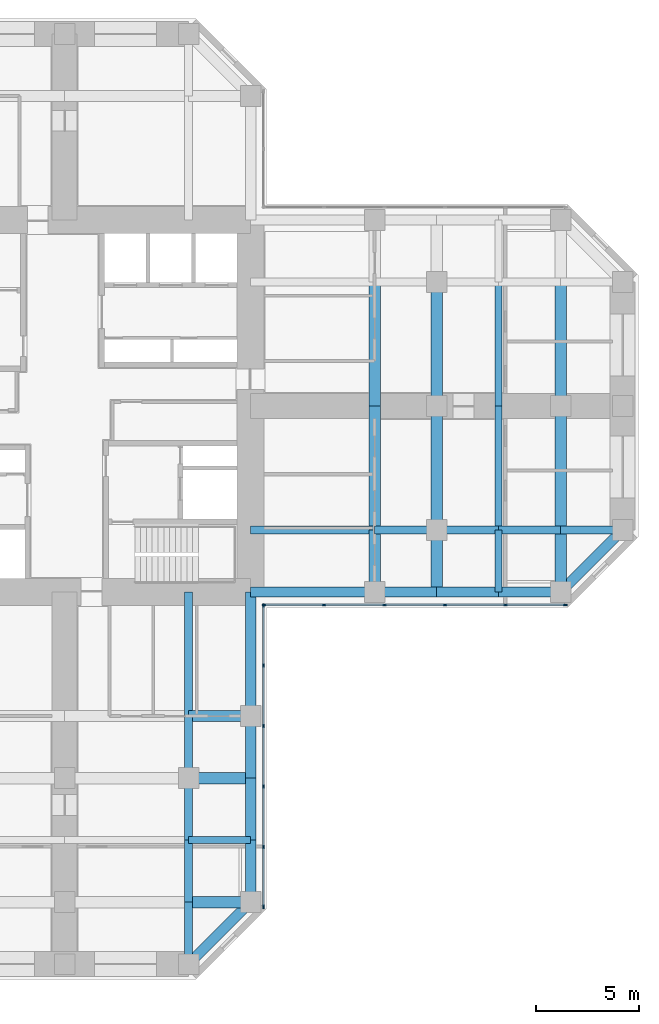
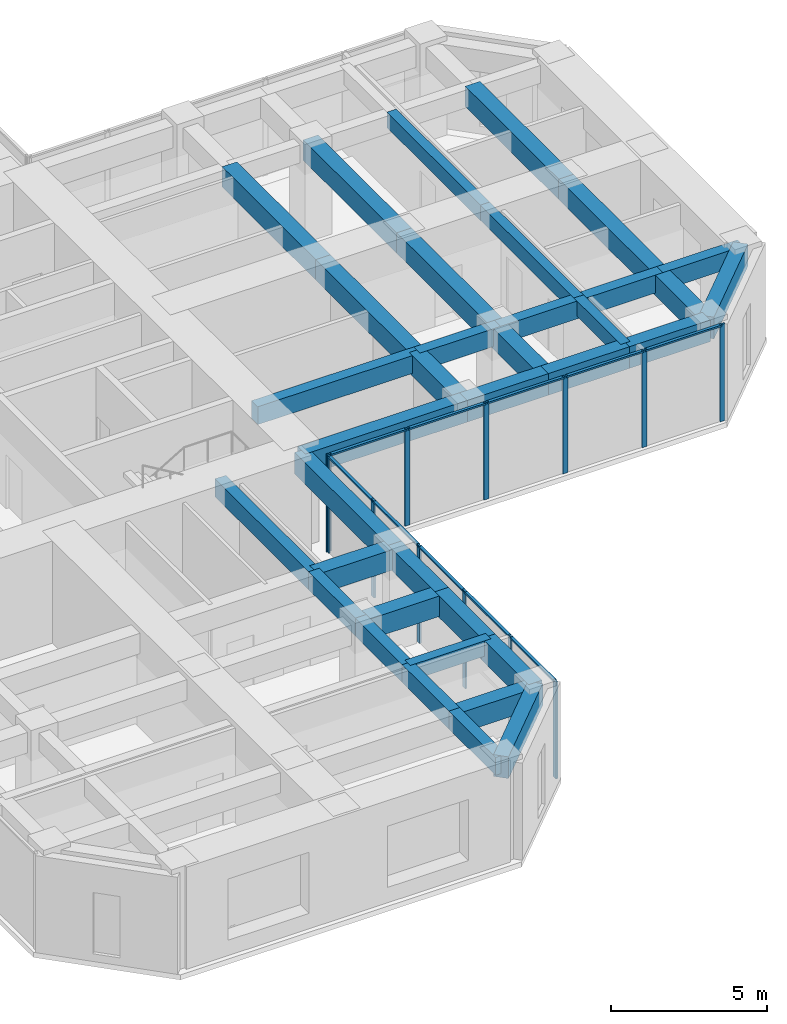
# One storey, part 4 of 13: 36 beams, 22 members, 2 elements without a shape of their own.
"""IFC4 building model written with IfcOpenShell, lengths in metres."""

from ifc_helpers import new_model, si_unit, direction, frame, origin, origin_2d, place, context, subcontext, project, spatial, rectangle, extrude, material, material_profile, profile_set, type_object, element, aggregate, save


model = new_model("IFC4")

# Units and contexts
model_context = context("Model", 3, precision=1e-05, world=origin(), true_north=direction((0.0, 1.0)))
body_context = subcontext(model_context, "Body", "Model", "MODEL_VIEW")
ifc_project = project(units=[si_unit("LENGTHUNIT", "METRE"), si_unit("AREAUNIT", "SQUARE_METRE"), si_unit("VOLUMEUNIT", "CUBIC_METRE"), si_unit("PLANEANGLEUNIT", "RADIAN"), si_unit("MASSUNIT", "GRAM", prefix="KILO")], contexts=[model_context])

# Site, building, storey
site_placement = place(None, origin())
site = spatial("IfcSite", under=ifc_project, at=site_placement, CompositionType="ELEMENT")
building_placement = place(site_placement, origin())
building = spatial("IfcBuilding", under=site, at=building_placement, Name="Torre Cruceta", CompositionType="ELEMENT")
storey_placement = place(building_placement, frame((0.0, 0.0, 124.5)))
storey = spatial("IfcBuildingStorey", under=building, at=storey_placement, Name="L30", CompositionType="ELEMENT", Elevation=124.5)

# Beams
ifc_material_1 = material(Name="Concrete G60 (fck 60 MPa)", Category="concrete")
ifc_material_profile_1 = material_profile(ifc_material_1, rectangle(XDim=0.39990234375, YDim=0.699951171875, at=origin_2d()), Name="RC 400X700")
ifc_profile_set_1 = profile_set([ifc_material_profile_1], Name="Concrete G60 (fck 60 MPa)")
beam_type_1 = type_object("IfcBeamType", Name="COLUMN LINE BEAM RC 400X700", PredefinedType="BEAM", material=ifc_profile_set_1)
beam_1_placement = place(storey_placement, frame((9.0, -6.0, 3.449951171875), z_axis=(1.0, 0.0, 0.0), x_axis=(0.0, 1.0, 0.0)))
element("IfcBeam", 1, at=beam_1_placement, inside=storey, type_object=beam_type_1, Name="LB5 L30 E col- 1", PredefinedType="BEAM", context=body_context, shape_type="SweptSolid", body=[
    extrude(rectangle(XDim=0.39990234375, YDim=0.699951171875, at=origin_2d()), origin(), (0.0, 0.0, 1.0), 6.0),
])
for number, where, z_axis, x_axis, name in (
    (2, (15.0, -6.0, 3.449951171875), (1.0, 0.0, 0.0), (0.0, 1.0, 0.0), "LB5 L30 E col- 2"),
    (3, (18.0, -6.0, 3.449951171875), (1.0, 0.0, 0.0), (0.0, 1.0, 0.0), "LB5 L30 E col- 3"),
    (4, (21.0, -6.0, 3.449951171875), (1.0, 0.0, 0.0), (0.0, 1.0, 0.0), "LB5 L30 E col- 4"),
    (5, (24.0, -6.0, 3.449951171875), (1.0, 0.0, 0.0), (0.0, 1.0, 0.0), "LB5 L30 E col- 5"),
):
    element("IfcBeam", number, at=place(storey_placement, frame(where, z_axis=z_axis, x_axis=x_axis)), inside=storey, type_object=beam_type_1, Name=name, PredefinedType="BEAM", context=body_context, shape_type="SweptSolid", body=[
        extrude(rectangle(XDim=0.39990234375, YDim=0.699951171875, at=origin_2d()), origin(), (0.0, 0.0, 1.0), 3.0),
    ])
beam_2_placement = place(storey_placement, frame((6.0, -9.0, 3.449951171875), z_axis=(0.0, -1.0, 0.0), x_axis=(1.0, 0.0, 0.0)))
element("IfcBeam", 6, at=beam_2_placement, inside=storey, type_object=beam_type_1, Name="LB5 L30 S col+ 1", PredefinedType="BEAM", context=body_context, shape_type="SweptSolid", body=[
    extrude(rectangle(XDim=0.39990234375, YDim=0.699951171875, at=origin_2d()), origin(), (0.0, 0.0, 1.0), 6.0),
])
for number, where, z_axis, x_axis, name in (
    (7, (6.0, -15.0, 3.449951171875), (0.0, -1.0, 0.0), (1.0, 0.0, 0.0), "LB5 L30 S col+ 2"),
    (8, (6.0, -18.0, 3.449951171875), (0.0, -1.0, 0.0), (1.0, 0.0, 0.0), "LB5 L30 S col+ 3"),
    (9, (6.0, -21.0, 3.449951171875), (0.0, -1.0, 0.0), (1.0, 0.0, 0.0), "LB5 L30 S col+ 4"),
    (10, (6.0, -24.0, 3.449951171875), (0.0, -1.0, 0.0), (1.0, 0.0, 0.0), "LB5 L30 S col+ 5"),
):
    element("IfcBeam", number, at=place(storey_placement, frame(where, z_axis=z_axis, x_axis=x_axis)), inside=storey, type_object=beam_type_1, Name=name, PredefinedType="BEAM", context=body_context, shape_type="SweptSolid", body=[
        extrude(rectangle(XDim=0.39990234375, YDim=0.699951171875, at=origin_2d()), origin(), (0.0, 0.0, 1.0), 3.0),
    ])
ifc_material_2 = material(Name="Concrete G60 (fck 60 MPa)", Category="concrete")
ifc_material_profile_2 = material_profile(ifc_material_2, rectangle(XDim=0.550048828125, YDim=0.800048828125, at=origin_2d()), Name="RC 550X800")
ifc_profile_set_2 = profile_set([ifc_material_profile_2], Name="Concrete G60 (fck 60 MPa)")
beam_type_2 = type_object("IfcBeamType", Name="CROSS BEAM RC 550X800", PredefinedType="BEAM", material=ifc_profile_set_2)
beam_3_placement = place(storey_placement, frame((15.0, -9.0, 3.39990234375), z_axis=(0.0, 1.0, 0.0), x_axis=(-1.0, 0.0, 0.0)))
element("IfcBeam", 11, at=beam_3_placement, inside=storey, type_object=beam_type_2, Name="GB5 L30 E cross15 1", PredefinedType="BEAM", context=body_context, shape_type="SweptSolid", body=[
    extrude(rectangle(XDim=0.550048828125, YDim=0.800048828125, at=origin_2d()), origin(), (0.0, 0.0, 1.0), 3.0),
])
for number, where, z_axis, x_axis, name in (
    (12, (15.0, -6.0, 3.39990234375), (0.0, 1.0, 0.0), (-1.0, 0.0, 0.0), "GB5 L30 E cross15 2"),
    (13, (15.0, 0.0, 3.39990234375), (0.0, 1.0, 0.0), (-1.0, 0.0, 0.0), "GB5 L30 E cross15 3"),
):
    element("IfcBeam", number, at=place(storey_placement, frame(where, z_axis=z_axis, x_axis=x_axis)), inside=storey, type_object=beam_type_2, Name=name, PredefinedType="BEAM", context=body_context, shape_type="SweptSolid", body=[
        extrude(rectangle(XDim=0.550048828125, YDim=0.800048828125, at=origin_2d()), origin(), (0.0, 0.0, 1.0), 6.0),
    ])
beam_4_placement = place(storey_placement, frame((18.0, -9.0, 3.39990234375), z_axis=(0.0, 1.0, 0.0), x_axis=(-1.0, 0.0, 0.0)))
element("IfcBeam", 14, at=beam_4_placement, inside=storey, type_object=beam_type_2, Name="GB5 L30 E cross18 1", PredefinedType="BEAM", context=body_context, shape_type="SweptSolid", body=[
    extrude(rectangle(XDim=0.550048828125, YDim=0.800048828125, at=origin_2d()), origin(), (0.0, 0.0, 1.0), 3.0),
])
for number, where, z_axis, x_axis, name in (
    (15, (18.0, -6.0, 3.39990234375), (0.0, 1.0, 0.0), (-1.0, 0.0, 0.0), "GB5 L30 E cross18 2"),
    (16, (18.0, 0.0, 3.39990234375), (0.0, 1.0, 0.0), (-1.0, 0.0, 0.0), "GB5 L30 E cross18 3"),
):
    element("IfcBeam", number, at=place(storey_placement, frame(where, z_axis=z_axis, x_axis=x_axis)), inside=storey, type_object=beam_type_2, Name=name, PredefinedType="BEAM", context=body_context, shape_type="SweptSolid", body=[
        extrude(rectangle(XDim=0.550048828125, YDim=0.800048828125, at=origin_2d()), origin(), (0.0, 0.0, 1.0), 6.0),
    ])
beam_5_placement = place(storey_placement, frame((24.0, -9.0, 3.39990234375), z_axis=(0.0, 1.0, 0.0), x_axis=(-1.0, 0.0, 0.0)))
element("IfcBeam", 17, at=beam_5_placement, inside=storey, type_object=beam_type_2, Name="GB5 L30 E cross24 1", PredefinedType="BEAM", context=body_context, shape_type="SweptSolid", body=[
    extrude(rectangle(XDim=0.550048828125, YDim=0.800048828125, at=origin_2d()), origin(), (0.0, 0.0, 1.0), 3.0),
])
for number, where, z_axis, x_axis, name in (
    (18, (24.0, -6.0, 3.39990234375), (0.0, 1.0, 0.0), (-1.0, 0.0, 0.0), "GB5 L30 E cross24 2"),
    (19, (24.0, 0.0, 3.39990234375), (0.0, 1.0, 0.0), (-1.0, 0.0, 0.0), "GB5 L30 E cross24 3"),
):
    element("IfcBeam", number, at=place(storey_placement, frame(where, z_axis=z_axis, x_axis=x_axis)), inside=storey, type_object=beam_type_2, Name=name, PredefinedType="BEAM", context=body_context, shape_type="SweptSolid", body=[
        extrude(rectangle(XDim=0.550048828125, YDim=0.800048828125, at=origin_2d()), origin(), (0.0, 0.0, 1.0), 6.0),
    ])
for number, where, z_axis, x_axis, name in (
    (20, (6.0, -15.0, 3.39990234375), (1.0, 0.0, 0.0), (0.0, 1.0, 0.0), "GB5 L30 S cross15 4"),
    (21, (6.0, -18.0, 3.39990234375), (1.0, 0.0, 0.0), (0.0, 1.0, 0.0), "GB5 L30 S cross18 4"),
    (22, (6.0, -24.0, 3.39990234375), (1.0, 0.0, 0.0), (0.0, 1.0, 0.0), "GB5 L30 S cross24 4"),
):
    element("IfcBeam", number, at=place(storey_placement, frame(where, z_axis=z_axis, x_axis=x_axis)), inside=storey, type_object=beam_type_2, Name=name, PredefinedType="BEAM", context=body_context, shape_type="SweptSolid", body=[
        extrude(rectangle(XDim=0.550048828125, YDim=0.800048828125, at=origin_2d()), origin(), (0.0, 0.0, 1.0), 3.0),
    ])

# Curtain wall, members
ifc_material_3 = material(Name="Aluminium unitised curtain wall", Category="aluminium")
curtain_wall_type = type_object("IfcCurtainWallType", Name="CURTAIN WALL CW-B OFFICE MID RISE", PredefinedType="USERDEFINED", material=ifc_material_3)
curtain_wall_1_placement = place(storey_placement, origin())
curtain_wall_1 = element("IfcCurtainWall", 23, at=curtain_wall_1_placement, inside=storey, type_object=curtain_wall_type, Name="CW-B L30 E side 00", ObjectType="UNITISED", PredefinedType="USERDEFINED")
ifc_material_4 = material(Name="Aluminium mullion", Category="aluminium")
ifc_material_profile_3 = material_profile(ifc_material_4, rectangle(XDim=0.06494140625, YDim=0.179931640625, at=origin_2d()), Name="AL 65X180")
ifc_profile_set_3 = profile_set([ifc_material_profile_3], Name="Aluminium mullion")
member_type_1 = type_object("IfcMemberType", Name="CW-B MULLION 65X180", PredefinedType="MULLION", material=ifc_profile_set_3)
member_1_placement = place(storey_placement, frame((9.652587890625, -9.6201171875, 0.0), z_axis=(0.0, 0.0, 1.0), x_axis=(0.0, 1.0, 0.0)))
member_1 = element("IfcMember", 24, at=member_1_placement, type_object=member_type_1, Name="CW-B mullion 1", PredefinedType="MULLION", context=body_context, shape_type="SweptSolid", body=[
    extrude(rectangle(XDim=0.06494140625, YDim=0.179931640625, at=origin_2d()), origin(), (0.0, 0.0, 1.0), 3.800048828125),
])
member_2_placement = place(storey_placement, frame((12.54736328125, -9.6201171875, 0.0), z_axis=(0.0, 0.0, 1.0), x_axis=(0.0, 1.0, 0.0)))
member_2 = element("IfcMember", 25, at=member_2_placement, type_object=member_type_1, Name="CW-B mullion 2", PredefinedType="MULLION", context=body_context, shape_type="SweptSolid", body=[
    extrude(rectangle(XDim=0.06494140625, YDim=0.179931640625, at=origin_2d()), origin(), (0.0, 0.0, 1.0), 3.800048828125),
])
member_3_placement = place(storey_placement, frame((15.474609375, -9.6201171875, 0.0), z_axis=(0.0, 0.0, 1.0), x_axis=(0.0, 1.0, 0.0)))
member_3 = element("IfcMember", 26, at=member_3_placement, type_object=member_type_1, Name="CW-B mullion 3", PredefinedType="MULLION", context=body_context, shape_type="SweptSolid", body=[
    extrude(rectangle(XDim=0.06494140625, YDim=0.179931640625, at=origin_2d()), origin(), (0.0, 0.0, 1.0), 3.800048828125),
])
member_4_placement = place(storey_placement, frame((18.402099609375, -9.6201171875, 0.0), z_axis=(0.0, 0.0, 1.0), x_axis=(0.0, 1.0, 0.0)))
member_4 = element("IfcMember", 27, at=member_4_placement, type_object=member_type_1, Name="CW-B mullion 4", PredefinedType="MULLION", context=body_context, shape_type="SweptSolid", body=[
    extrude(rectangle(XDim=0.06494140625, YDim=0.179931640625, at=origin_2d()), origin(), (0.0, 0.0, 1.0), 3.800048828125),
])
member_5_placement = place(storey_placement, frame((21.329345703125, -9.6201171875, 0.0), z_axis=(0.0, 0.0, 1.0), x_axis=(0.0, 1.0, 0.0)))
member_5 = element("IfcMember", 28, at=member_5_placement, type_object=member_type_1, Name="CW-B mullion 5", PredefinedType="MULLION", context=body_context, shape_type="SweptSolid", body=[
    extrude(rectangle(XDim=0.06494140625, YDim=0.179931640625, at=origin_2d()), origin(), (0.0, 0.0, 1.0), 3.800048828125),
])
member_6_placement = place(storey_placement, frame((24.224365234375, -9.6201171875, 0.0), z_axis=(0.0, 0.0, 1.0), x_axis=(0.0, 1.0, 0.0)))
member_6 = element("IfcMember", 29, at=member_6_placement, type_object=member_type_1, Name="CW-B mullion 6", PredefinedType="MULLION", context=body_context, shape_type="SweptSolid", body=[
    extrude(rectangle(XDim=0.06494140625, YDim=0.179931640625, at=origin_2d()), origin(), (0.0, 0.0, 1.0), 3.800048828125),
])

curtain_wall_2_placement = place(storey_placement, origin())
curtain_wall_2 = element("IfcCurtainWall", 30, at=curtain_wall_2_placement, inside=storey, type_object=curtain_wall_type, Name="CW-B L30 S side 19", ObjectType="UNITISED", PredefinedType="USERDEFINED")
member_7_placement = place(storey_placement, frame((9.6201171875, -24.224365234375, 0.0), z_axis=(0.0, 0.0, 1.0), x_axis=(-1.0, 0.0, 0.0)))
member_7 = element("IfcMember", 31, at=member_7_placement, type_object=member_type_1, Name="CW-B mullion 1", PredefinedType="MULLION", context=body_context, shape_type="SweptSolid", body=[
    extrude(rectangle(XDim=0.06494140625, YDim=0.179931640625, at=origin_2d()), origin(), (0.0, 0.0, 1.0), 3.800048828125),
])
member_8_placement = place(storey_placement, frame((9.6201171875, -21.329345703125, 0.0), z_axis=(0.0, 0.0, 1.0), x_axis=(-1.0, 0.0, 0.0)))
member_8 = element("IfcMember", 32, at=member_8_placement, type_object=member_type_1, Name="CW-B mullion 2", PredefinedType="MULLION", context=body_context, shape_type="SweptSolid", body=[
    extrude(rectangle(XDim=0.06494140625, YDim=0.179931640625, at=origin_2d()), origin(), (0.0, 0.0, 1.0), 3.800048828125),
])
member_9_placement = place(storey_placement, frame((9.6201171875, -18.402099609375, 0.0), z_axis=(0.0, 0.0, 1.0), x_axis=(-1.0, 0.0, 0.0)))
member_9 = element("IfcMember", 33, at=member_9_placement, type_object=member_type_1, Name="CW-B mullion 3", PredefinedType="MULLION", context=body_context, shape_type="SweptSolid", body=[
    extrude(rectangle(XDim=0.06494140625, YDim=0.179931640625, at=origin_2d()), origin(), (0.0, 0.0, 1.0), 3.800048828125),
])
member_10_placement = place(storey_placement, frame((9.6201171875, -15.474609375, 0.0), z_axis=(0.0, 0.0, 1.0), x_axis=(-1.0, 0.0, 0.0)))
member_10 = element("IfcMember", 34, at=member_10_placement, type_object=member_type_1, Name="CW-B mullion 4", PredefinedType="MULLION", context=body_context, shape_type="SweptSolid", body=[
    extrude(rectangle(XDim=0.06494140625, YDim=0.179931640625, at=origin_2d()), origin(), (0.0, 0.0, 1.0), 3.800048828125),
])
member_11_placement = place(storey_placement, frame((9.6201171875, -12.54736328125, 0.0), z_axis=(0.0, 0.0, 1.0), x_axis=(-1.0, 0.0, 0.0)))
member_11 = element("IfcMember", 35, at=member_11_placement, type_object=member_type_1, Name="CW-B mullion 5", PredefinedType="MULLION", context=body_context, shape_type="SweptSolid", body=[
    extrude(rectangle(XDim=0.06494140625, YDim=0.179931640625, at=origin_2d()), origin(), (0.0, 0.0, 1.0), 3.800048828125),
])
member_12_placement = place(storey_placement, frame((9.6201171875, -9.652587890625, 0.0), z_axis=(0.0, 0.0, 1.0), x_axis=(-1.0, 0.0, 0.0)))
member_12 = element("IfcMember", 36, at=member_12_placement, type_object=member_type_1, Name="CW-B mullion 6", PredefinedType="MULLION", context=body_context, shape_type="SweptSolid", body=[
    extrude(rectangle(XDim=0.06494140625, YDim=0.179931640625, at=origin_2d()), origin(), (0.0, 0.0, 1.0), 3.800048828125),
])

# Member
ifc_material_5 = material(Name="Aluminium transom", Category="aluminium")
ifc_material_profile_4 = material_profile(ifc_material_5, rectangle(XDim=0.110107421875, YDim=0.06494140625, at=origin_2d()), Name="AL 110X65")
ifc_profile_set_4 = profile_set([ifc_material_profile_4], Name="Aluminium transom")
member_type_2 = type_object("IfcMemberType", Name="CW-B TRANSOM 65X110", PredefinedType="USERDEFINED", material=ifc_profile_set_4)
member_13_placement = place(storey_placement, frame((9.68505859375, -9.6201171875, 3.767578125), z_axis=(1.0, 0.0, 0.0), x_axis=(0.0, 1.0, 0.0)))
member_13 = element("IfcMember", 37, at=member_13_placement, type_object=member_type_2, Name="CW-B transom 1", ObjectType="TRANSOM", PredefinedType="USERDEFINED", context=body_context, shape_type="SweptSolid", body=[
    extrude(rectangle(XDim=0.110107421875, YDim=0.06494140625, at=origin_2d()), origin(), (0.0, 0.0, 1.0), 2.829833984375),
])

member_14_placement = place(storey_placement, frame((12.579833984375, -9.6201171875, 3.767578125), z_axis=(1.0, 0.0, 0.0), x_axis=(0.0, 1.0, 0.0)))
member_14 = element("IfcMember", 38, at=member_14_placement, type_object=member_type_2, Name="CW-B transom 2", ObjectType="TRANSOM", PredefinedType="USERDEFINED", context=body_context, shape_type="SweptSolid", body=[
    extrude(rectangle(XDim=0.110107421875, YDim=0.06494140625, at=origin_2d()), origin(), (0.0, 0.0, 1.0), 2.8623046875),
])

member_15_placement = place(storey_placement, frame((15.50732421875, -9.6201171875, 3.767578125), z_axis=(1.0, 0.0, 0.0), x_axis=(0.0, 1.0, 0.0)))
member_15 = element("IfcMember", 39, at=member_15_placement, type_object=member_type_2, Name="CW-B transom 3", ObjectType="TRANSOM", PredefinedType="USERDEFINED", context=body_context, shape_type="SweptSolid", body=[
    extrude(rectangle(XDim=0.110107421875, YDim=0.06494140625, at=origin_2d()), origin(), (0.0, 0.0, 1.0), 2.8623046875),
])

member_16_placement = place(storey_placement, frame((18.4345703125, -9.6201171875, 3.767578125), z_axis=(1.0, 0.0, 0.0), x_axis=(0.0, 1.0, 0.0)))
member_16 = element("IfcMember", 40, at=member_16_placement, type_object=member_type_2, Name="CW-B transom 4", ObjectType="TRANSOM", PredefinedType="USERDEFINED", context=body_context, shape_type="SweptSolid", body=[
    extrude(rectangle(XDim=0.110107421875, YDim=0.06494140625, at=origin_2d()), origin(), (0.0, 0.0, 1.0), 2.8623046875),
])

member_17_placement = place(storey_placement, frame((21.362060546875, -9.6201171875, 3.767578125), z_axis=(1.0, 0.0, 0.0), x_axis=(0.0, 1.0, 0.0)))
member_17 = element("IfcMember", 41, at=member_17_placement, type_object=member_type_2, Name="CW-B transom 5", ObjectType="TRANSOM", PredefinedType="USERDEFINED", context=body_context, shape_type="SweptSolid", body=[
    extrude(rectangle(XDim=0.110107421875, YDim=0.06494140625, at=origin_2d()), origin(), (0.0, 0.0, 1.0), 2.829833984375),
])

aggregate(curtain_wall_1, [member_1, member_2, member_3, member_4, member_5, member_6, member_13, member_14, member_15, member_16, member_17])

member_18_placement = place(storey_placement, frame((9.6201171875, -24.19189453125, 3.767578125), z_axis=(0.0, 1.0, 0.0), x_axis=(-1.0, 0.0, 0.0)))
member_18 = element("IfcMember", 42, at=member_18_placement, type_object=member_type_2, Name="CW-B transom 1", ObjectType="TRANSOM", PredefinedType="USERDEFINED", context=body_context, shape_type="SweptSolid", body=[
    extrude(rectangle(XDim=0.110107421875, YDim=0.06494140625, at=origin_2d()), origin(), (0.0, 0.0, 1.0), 2.829833984375),
])

member_19_placement = place(storey_placement, frame((9.6201171875, -21.296875, 3.767578125), z_axis=(0.0, 1.0, 0.0), x_axis=(-1.0, 0.0, 0.0)))
member_19 = element("IfcMember", 43, at=member_19_placement, type_object=member_type_2, Name="CW-B transom 2", ObjectType="TRANSOM", PredefinedType="USERDEFINED", context=body_context, shape_type="SweptSolid", body=[
    extrude(rectangle(XDim=0.110107421875, YDim=0.06494140625, at=origin_2d()), origin(), (0.0, 0.0, 1.0), 2.8623046875),
])

member_20_placement = place(storey_placement, frame((9.6201171875, -18.36962890625, 3.767578125), z_axis=(0.0, 1.0, 0.0), x_axis=(-1.0, 0.0, 0.0)))
member_20 = element("IfcMember", 44, at=member_20_placement, type_object=member_type_2, Name="CW-B transom 3", ObjectType="TRANSOM", PredefinedType="USERDEFINED", context=body_context, shape_type="SweptSolid", body=[
    extrude(rectangle(XDim=0.110107421875, YDim=0.06494140625, at=origin_2d()), origin(), (0.0, 0.0, 1.0), 2.8623046875),
])

member_21_placement = place(storey_placement, frame((9.6201171875, -15.442138671875, 3.767578125), z_axis=(0.0, 1.0, 0.0), x_axis=(-1.0, 0.0, 0.0)))
member_21 = element("IfcMember", 45, at=member_21_placement, type_object=member_type_2, Name="CW-B transom 4", ObjectType="TRANSOM", PredefinedType="USERDEFINED", context=body_context, shape_type="SweptSolid", body=[
    extrude(rectangle(XDim=0.110107421875, YDim=0.06494140625, at=origin_2d()), origin(), (0.0, 0.0, 1.0), 2.8623046875),
])

member_22_placement = place(storey_placement, frame((9.6201171875, -12.514892578125, 3.767578125), z_axis=(0.0, 1.0, 0.0), x_axis=(-1.0, 0.0, 0.0)))
member_22 = element("IfcMember", 46, at=member_22_placement, type_object=member_type_2, Name="CW-B transom 5", ObjectType="TRANSOM", PredefinedType="USERDEFINED", context=body_context, shape_type="SweptSolid", body=[
    extrude(rectangle(XDim=0.110107421875, YDim=0.06494140625, at=origin_2d()), origin(), (0.0, 0.0, 1.0), 2.829833984375),
])

aggregate(curtain_wall_2, [member_7, member_8, member_9, member_10, member_11, member_12, member_18, member_19, member_20, member_21, member_22])

# Beams
ifc_material_6 = material(Name="Concrete G60 (fck 60 MPa)", Category="concrete")
ifc_material_profile_5 = material_profile(ifc_material_6, rectangle(XDim=0.35009765625, YDim=0.60009765625, at=origin_2d()), Name="RC 350X600")
ifc_profile_set_5 = profile_set([ifc_material_profile_5], Name="Concrete G60 (fck 60 MPa)")
beam_type_3 = type_object("IfcBeamType", Name="SECONDARY BEAM RC 350X600", PredefinedType="JOIST", material=ifc_profile_set_5)
beam_6_placement = place(storey_placement, frame((21.0, -9.0, 3.5), z_axis=(0.0, 1.0, 0.0), x_axis=(-1.0, 0.0, 0.0)))
element("IfcBeam", 47, at=beam_6_placement, inside=storey, type_object=beam_type_3, Name="JB5 L30 E sec21 1", PredefinedType="JOIST", context=body_context, shape_type="SweptSolid", body=[
    extrude(rectangle(XDim=0.35009765625, YDim=0.60009765625, at=origin_2d()), origin(), (0.0, 0.0, 1.0), 3.0),
])
for number, where, z_axis, x_axis, name in (
    (48, (21.0, -6.0, 3.5), (0.0, 1.0, 0.0), (-1.0, 0.0, 0.0), "JB5 L30 E sec21 2"),
    (49, (21.0, 0.0, 3.5), (0.0, 1.0, 0.0), (-1.0, 0.0, 0.0), "JB5 L30 E sec21 3"),
):
    element("IfcBeam", number, at=place(storey_placement, frame(where, z_axis=z_axis, x_axis=x_axis)), inside=storey, type_object=beam_type_3, Name=name, PredefinedType="JOIST", context=body_context, shape_type="SweptSolid", body=[
        extrude(rectangle(XDim=0.35009765625, YDim=0.60009765625, at=origin_2d()), origin(), (0.0, 0.0, 1.0), 6.0),
    ])
beam_7_placement = place(storey_placement, frame((6.0, -21.0, 3.5), z_axis=(1.0, 0.0, 0.0), x_axis=(0.0, 1.0, 0.0)))
element("IfcBeam", 50, at=beam_7_placement, inside=storey, type_object=beam_type_3, Name="JB5 L30 S sec21 4", PredefinedType="JOIST", context=body_context, shape_type="SweptSolid", body=[
    extrude(rectangle(XDim=0.35009765625, YDim=0.60009765625, at=origin_2d()), origin(), (0.0, 0.0, 1.0), 3.0),
])
ifc_material_7 = material(Name="Concrete G60 (fck 60 MPa)", Category="concrete")
ifc_material_profile_6 = material_profile(ifc_material_7, rectangle(XDim=0.5, YDim=0.85009765625, at=origin_2d()), Name="RC 500X850")
ifc_profile_set_6 = profile_set([ifc_material_profile_6], Name="Concrete G60 (fck 60 MPa)")
beam_type_4 = type_object("IfcBeamType", Name="SPANDREL BEAM RC 500X850", PredefinedType="SPANDREL", material=ifc_profile_set_6)
beam_8_placement = place(storey_placement, frame((9.0, -9.0, 3.375), z_axis=(1.0, 0.0, 0.0), x_axis=(0.0, 1.0, 0.0)))
element("IfcBeam", 51, at=beam_8_placement, inside=storey, type_object=beam_type_4, Name="SB5 L30 E side- 1", PredefinedType="SPANDREL", context=body_context, shape_type="SweptSolid", body=[
    extrude(rectangle(XDim=0.5, YDim=0.85009765625, at=origin_2d()), origin(), (0.0, 0.0, 1.0), 6.0),
])
for number, where, z_axis, x_axis, name in (
    (52, (15.0, -9.0, 3.375), (1.0, 0.0, 0.0), (0.0, 1.0, 0.0), "SB5 L30 E side- 2"),
    (53, (18.0, -9.0, 3.375), (1.0, 0.0, 0.0), (0.0, 1.0, 0.0), "SB5 L30 E side- 3"),
    (54, (21.0, -9.0, 3.375), (1.0, 0.0, 0.0), (0.0, 1.0, 0.0), "SB5 L30 E side- 4"),
):
    element("IfcBeam", number, at=place(storey_placement, frame(where, z_axis=z_axis, x_axis=x_axis)), inside=storey, type_object=beam_type_4, Name=name, PredefinedType="SPANDREL", context=body_context, shape_type="SweptSolid", body=[
        extrude(rectangle(XDim=0.5, YDim=0.85009765625, at=origin_2d()), origin(), (0.0, 0.0, 1.0), 3.0),
    ])
beam_9_placement = place(storey_placement, frame((24.0, -9.0, 3.375), z_axis=(0.707106781187, 0.707106781187, 0.0), x_axis=(-0.707106781187, 0.707106781187, 0.0)))
element("IfcBeam", 55, at=beam_9_placement, inside=storey, type_object=beam_type_4, Name="SB5 L30 E side- 5", PredefinedType="SPANDREL", context=body_context, shape_type="SweptSolid", body=[
    extrude(rectangle(XDim=0.5, YDim=0.85009765625, at=origin_2d()), origin(), (0.0, 0.0, 1.0), 4.24267578125),
])
beam_10_placement = place(storey_placement, frame((9.0, -9.0, 3.375), z_axis=(0.0, -1.0, 0.0), x_axis=(1.0, 0.0, 0.0)))
element("IfcBeam", 56, at=beam_10_placement, inside=storey, type_object=beam_type_4, Name="SB5 L30 S side+ 1", PredefinedType="SPANDREL", context=body_context, shape_type="SweptSolid", body=[
    extrude(rectangle(XDim=0.5, YDim=0.85009765625, at=origin_2d()), origin(), (0.0, 0.0, 1.0), 6.0),
])
for number, where, z_axis, x_axis, name in (
    (57, (9.0, -15.0, 3.375), (0.0, -1.0, 0.0), (1.0, 0.0, 0.0), "SB5 L30 S side+ 2"),
    (58, (9.0, -18.0, 3.375), (0.0, -1.0, 0.0), (1.0, 0.0, 0.0), "SB5 L30 S side+ 3"),
    (59, (9.0, -21.0, 3.375), (0.0, -1.0, 0.0), (1.0, 0.0, 0.0), "SB5 L30 S side+ 4"),
):
    element("IfcBeam", number, at=place(storey_placement, frame(where, z_axis=z_axis, x_axis=x_axis)), inside=storey, type_object=beam_type_4, Name=name, PredefinedType="SPANDREL", context=body_context, shape_type="SweptSolid", body=[
        extrude(rectangle(XDim=0.5, YDim=0.85009765625, at=origin_2d()), origin(), (0.0, 0.0, 1.0), 3.0),
    ])
beam_11_placement = place(storey_placement, frame((9.0, -24.0, 3.375), z_axis=(-0.707106781187, -0.707106781187, 0.0), x_axis=(0.707106781187, -0.707106781187, 0.0)))
element("IfcBeam", 60, at=beam_11_placement, inside=storey, type_object=beam_type_4, Name="SB5 L30 S side+ 5", PredefinedType="SPANDREL", context=body_context, shape_type="SweptSolid", body=[
    extrude(rectangle(XDim=0.5, YDim=0.85009765625, at=origin_2d()), origin(), (0.0, 0.0, 1.0), 4.24267578125),
])

save(model, "model.ifc")
